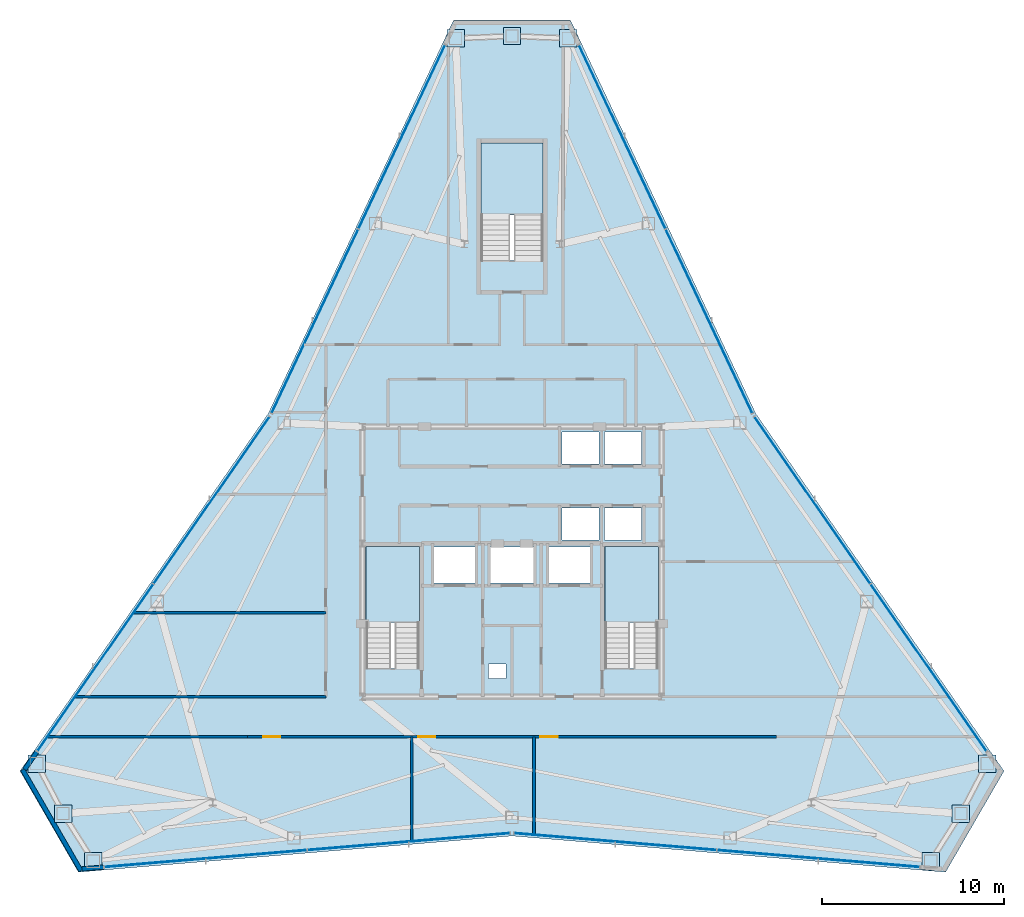
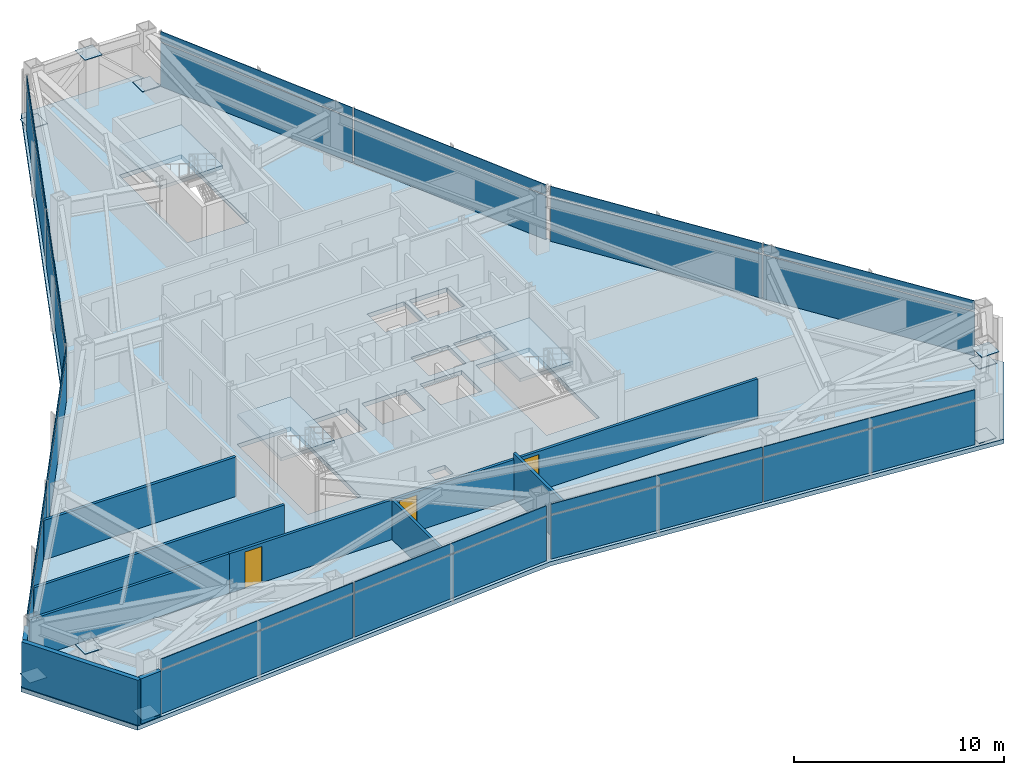
# One storey, part 8 of 12: 33 plates, 9 walls, 4 slabs, 3 doors, 3 openings, 9 elements without a shape of their own.
"""IFC4 building model written with IfcOpenShell, lengths in metres."""

from ifc_helpers import new_model, si_unit, direction, frame, frame_2d, origin, origin_2d, place, context, subcontext, project, spatial, polyline, rectangle, outline, extrude, source, transform, mapped, material, layer, layer_set, type_object, type_shapes, element, fill, aggregate, save


model = new_model("IFC4")

# Units and contexts
model_context = context("Model", 3, precision=1e-05, world=origin(), true_north=direction((0.0, 1.0)))
body_context = subcontext(model_context, "Body", "Model", "MODEL_VIEW")
ifc_project = project(units=[si_unit("LENGTHUNIT", "METRE"), si_unit("AREAUNIT", "SQUARE_METRE"), si_unit("VOLUMEUNIT", "CUBIC_METRE"), si_unit("PLANEANGLEUNIT", "RADIAN"), si_unit("MASSUNIT", "GRAM", prefix="KILO")], contexts=[model_context])

# Site, building, storey
site_placement = place(None, origin())
site = spatial("IfcSite", under=ifc_project, at=site_placement, CompositionType="ELEMENT")
building_placement = place(site_placement, origin())
building = spatial("IfcBuilding", under=site, at=building_placement, Name="Varakhsha Concourse Tower", CompositionType="ELEMENT")
storey_placement = place(building_placement, frame((0.0, 0.0, 225.89990234375)))
storey = spatial("IfcBuildingStorey", under=building, at=storey_placement, Name="L64", CompositionType="ELEMENT", Elevation=225.89990234375)

# Slab
ifc_material_1 = material(Name="Concrete fc 45 MPa", Category="concrete")
ifc_layer_1 = layer(ifc_material_1, 0.25, Name="SL-FLR-250")
ifc_layer_set_1 = layer_set([ifc_layer_1], Name="Concrete fc 45 MPa")
slab_type_1 = type_object("IfcSlabType", Name="SL-FLR-250", PredefinedType="FLOOR", material=ifc_layer_set_1)
slab_1_placement = place(storey_placement, frame((0.0, 0.0, -0.25)))
element("IfcSlab", 1, at=slab_1_placement, inside=storey, type_object=slab_type_1, Name="L64 Composite Structural Slab", PredefinedType="FLOOR", context=body_context, shape_type="SweptSolid", body=[
    extrude(outline(polyline([(43.199951171875, 53.497314453125), (36.800048828125, 53.497314453125), (26.6337890625, 31.9169921875), (13.027587890625, 12.322509765625), (16.227783203125, 6.780029296875), (40.0, 8.765869140625), (63.772216796875, 6.780029296875), (66.972412109375, 12.322509765625), (53.3662109375, 31.9169921875), (43.199951171875, 53.497314453125)]), holes=[polyline([(34.919921875, 17.93994140625), (34.919921875, 24.6298828125), (32.0, 24.6298828125), (32.0, 17.93994140625), (34.919921875, 17.93994140625)]), polyline([(48.02001953125, 17.93994140625), (48.02001953125, 24.6298828125), (45.10009765625, 24.6298828125), (45.10009765625, 17.93994140625), (48.02001953125, 17.93994140625)]), polyline([(41.699951171875, 40.300048828125), (41.699951171875, 46.75), (38.300048828125, 46.75), (38.300048828125, 40.300048828125), (41.699951171875, 40.300048828125)]), polyline([(42.739990234375, 29.159912109375), (44.780029296875, 29.159912109375), (44.780029296875, 30.89990234375), (42.739990234375, 30.89990234375), (42.739990234375, 29.159912109375)]), polyline([(45.06005859375, 29.159912109375), (47.10009765625, 29.159912109375), (47.10009765625, 30.89990234375), (45.06005859375, 30.89990234375), (45.06005859375, 29.159912109375)]), polyline([(42.739990234375, 25.0), (44.780029296875, 25.0), (44.780029296875, 26.739990234375), (42.739990234375, 26.739990234375), (42.739990234375, 25.0)]), polyline([(45.06005859375, 25.0), (47.10009765625, 25.0), (47.10009765625, 26.739990234375), (45.06005859375, 26.739990234375), (45.06005859375, 25.0)]), polyline([(35.7099609375, 22.639892578125), (37.989990234375, 22.639892578125), (37.989990234375, 24.60009765625), (35.7099609375, 24.60009765625), (35.7099609375, 22.639892578125)]), polyline([(42.010009765625, 22.639892578125), (44.2900390625, 22.639892578125), (44.2900390625, 24.60009765625), (42.010009765625, 24.60009765625), (42.010009765625, 22.639892578125)]), polyline([(38.81005859375, 22.639892578125), (41.18994140625, 22.639892578125), (41.18994140625, 24.60009765625), (38.81005859375, 24.60009765625), (38.81005859375, 22.639892578125)]), polyline([(38.719970703125, 17.39990234375), (39.679931640625, 17.39990234375), (39.679931640625, 18.199951171875), (38.719970703125, 18.199951171875), (38.719970703125, 17.39990234375)])]), origin(), (0.0, 0.0, 1.0), 0.25),
])

# Stair, slab
stair_type_1 = type_object("IfcStairType", Name="ST-DOGLEG-1360", PredefinedType="HALF_TURN_STAIR", material=ifc_material_1)
stair_1_placement = place(storey_placement, origin())
stair_1 = element("IfcStair", 2, at=stair_1_placement, inside=storey, type_object=stair_type_1, Name="L64 Protected Exit Stair ST1", PredefinedType="HALF_TURN_STAIR")
ifc_layer_2 = layer(ifc_material_1, 0.199951171875, Name="SL-LAND-200")
ifc_layer_set_2 = layer_set([ifc_layer_2], Name="Concrete fc 45 MPa")
slab_type_2 = type_object("IfcSlabType", Name="SL-LAND-200", PredefinedType="LANDING", material=ifc_layer_set_2)
slab_2_placement = place(storey_placement, frame((0.0, 0.0, 1.550048828125)))
slab_2 = element("IfcSlab", 3, at=slab_2_placement, type_object=slab_type_2, Name="ST1 landing 1", PredefinedType="LANDING", context=body_context, shape_type="SweptSolid", body=[
    extrude(outline(polyline([(34.919921875, 20.4599609375), (34.919921875, 24.6298828125), (32.0, 24.6298828125), (32.0, 20.4599609375), (34.919921875, 20.4599609375)])), origin(), (0.0, 0.0, 1.0), 0.199951171875),
])
aggregate(stair_1, [slab_2])

stair_2_placement = place(storey_placement, origin())
stair_2 = element("IfcStair", 4, at=stair_2_placement, inside=storey, type_object=stair_type_1, Name="L64 Protected Exit Stair ST2", PredefinedType="HALF_TURN_STAIR")
slab_3_placement = place(storey_placement, frame((0.0, 0.0, 1.550048828125)))
slab_3 = element("IfcSlab", 5, at=slab_3_placement, type_object=slab_type_2, Name="ST2 landing 1", PredefinedType="LANDING", context=body_context, shape_type="SweptSolid", body=[
    extrude(outline(polyline([(48.02001953125, 20.4599609375), (48.02001953125, 24.6298828125), (45.10009765625, 24.6298828125), (45.10009765625, 20.4599609375), (48.02001953125, 20.4599609375)])), origin(), (0.0, 0.0, 1.0), 0.199951171875),
])
aggregate(stair_2, [slab_3])

stair_type_2 = type_object("IfcStairType", Name="ST-DOGLEG-1600", PredefinedType="HALF_TURN_STAIR", material=ifc_material_1)
stair_3_placement = place(storey_placement, origin())
stair_3 = element("IfcStair", 6, at=stair_3_placement, inside=storey, type_object=stair_type_2, Name="L64 Protected Exit Stair ST5", PredefinedType="HALF_TURN_STAIR")
slab_4_placement = place(storey_placement, frame((0.0, 0.0, 1.550048828125)))
slab_4 = element("IfcSlab", 7, at=slab_4_placement, type_object=slab_type_2, Name="ST5 landing 1", PredefinedType="LANDING", context=body_context, shape_type="SweptSolid", body=[
    extrude(outline(polyline([(41.699951171875, 42.820068359375), (41.699951171875, 46.75), (38.300048828125, 46.75), (38.300048828125, 42.820068359375), (41.699951171875, 42.820068359375)])), origin(), (0.0, 0.0, 1.0), 0.199951171875),
])
aggregate(stair_3, [slab_4])

# Plates
ifc_material_2 = material(Name="Structural Steel ASTM A572 Grade 50", Category="steel")
ifc_layer_3 = layer(ifc_material_2, 0.030029296875, Name="PL-ENDCAP-950")
ifc_layer_set_3 = layer_set([ifc_layer_3], Name="Structural Steel ASTM A572 Grade 50")
plate_type_1 = type_object("IfcPlateType", Name="PL-ENDCAP-950", PredefinedType="USERDEFINED", material=ifc_layer_set_3)
shared_shape_1 = source(origin(), body_context, "Body", "SweptSolid", [
    extrude(rectangle(XDim=0.949951171875, YDim=0.949951171875, at=origin_2d()), origin(), (0.0, 0.0, 1.0), 0.030029296875),
])
type_shapes(plate_type_1, [shared_shape_1])
for number, where, z_axis, x_axis, name in (
    (8, (43.090087890625, 52.491455078125, 0.10498046875), (0.0, 0.0, 1.0), (1.0, 0.0, 0.0), "Hollow Section End Cap GP-NODE-L64-0655"),
    (9, (40.0, 52.617431640625, 2.93505859375), (0.0, 0.0, 1.0), (1.0, 0.0, 0.0), "Hollow Section End Cap GP-NODE-L64-0656"),
    (10, (36.909912109375, 52.491455078125, 0.10498046875), (0.0, 0.0, 1.0), (1.0, 0.0, 0.0), "Hollow Section End Cap GP-NODE-L64-0657"),
    (11, (13.953857421875, 12.73046875, 0.10498046875), (0.0, 0.0, 1.0), (1.0, 0.0, 0.0), "Hollow Section End Cap GP-NODE-L64-0658"),
    (12, (15.389892578125, 9.9912109375, 2.93505859375), (0.0, 0.0, 1.0), (1.0, 0.0, 0.0), "Hollow Section End Cap GP-NODE-L64-0659"),
    (13, (17.0439453125, 7.378173828125, 0.10498046875), (0.0, 0.0, 1.0), (1.0, 0.0, 0.0), "Hollow Section End Cap GP-NODE-L64-0660"),
    (14, (62.9560546875, 7.378173828125, 0.10498046875), (0.0, 0.0, 1.0), (1.0, 0.0, 0.0), "Hollow Section End Cap GP-NODE-L64-0661"),
    (15, (64.610107421875, 9.9912109375, 2.93505859375), (0.0, 0.0, 1.0), (1.0, 0.0, 0.0), "Hollow Section End Cap GP-NODE-L64-0662"),
    (16, (66.046142578125, 12.73046875, 0.10498046875), (0.0, 0.0, 1.0), (1.0, 0.0, 0.0), "Hollow Section End Cap GP-NODE-L64-0663"),
):
    element("IfcPlate", number, at=place(storey_placement, frame(where, z_axis=z_axis, x_axis=x_axis)), inside=storey, type_object=plate_type_1, Name=name, ObjectType="END PLATE", PredefinedType="USERDEFINED", context=body_context, shape_type="MappedRepresentation", body=[
        mapped(shared_shape_1, transform((0.0, 0.0, 0.0), scale=1.0)),
    ])

# Curtain wall, plates
ifc_material_3 = material(Name="Anodised Bronze Architectural Aluminium AA 6063-T6", Category="aluminium")
ifc_layer_4 = layer(ifc_material_3, 0.199951171875, Name="CW-SYS-05")
ifc_layer_set_4 = layer_set([ifc_layer_4], Name="Anodised Bronze Architectural Aluminium AA 6063-T6")
curtain_wall_type = type_object("IfcCurtainWallType", Name="CW-SYS-05", PredefinedType="NOTDEFINED", material=ifc_layer_set_4)
curtain_wall_1_placement = place(storey_placement, origin())
curtain_wall_1 = element("IfcCurtainWall", 17, at=curtain_wall_1_placement, inside=storey, type_object=curtain_wall_type, Name="L64 Crystal Curtain Wall F2", PredefinedType="NOTDEFINED")
ifc_material_4 = material(Name="Low-E Triple Insulating Glass IGU 44 mm", Category="glass")
ifc_layer_5 = layer(ifc_material_4, 0.0439453125, Name="CWP-IGU-44")
ifc_layer_set_5 = layer_set([ifc_layer_5], Name="Low-E Triple Insulating Glass IGU 44 mm")
plate_type_2 = type_object("IfcPlateType", Name="CWP-IGU-44", PredefinedType="CURTAIN_PANEL", material=ifc_layer_set_5)
shared_shape_2 = source(origin(), body_context, "Body", "SweptSolid", [
    extrude(rectangle(XDim=11.1083984375, YDim=0.0439453125, at=origin_2d()), origin(), (0.0, 0.0, 1.0), 2.535888671875),
])
plate_1_placement = place(storey_placement, frame((29.1943359375, 36.97705078125, 0.0322265625), z_axis=(0.0, 0.0, 1.0), x_axis=(0.426172477405, 0.904641928888, 0.0)))
plate_1 = element("IfcPlate", 18, at=plate_1_placement, type_object=plate_type_2, Name="CW-L64-F2 Panel 00-00", PredefinedType="CURTAIN_PANEL", context=body_context, shape_type="MappedRepresentation", body=[
    mapped(shared_shape_2, transform((0.0, 0.0, 0.0), scale=1.0)),
])
plate_2_placement = place(storey_placement, frame((33.957763671875, 47.0888671875, 0.0322265625), z_axis=(0.0, 0.0, 1.0), x_axis=(0.426172477405, 0.904641928888, 0.0)))
plate_2 = element("IfcPlate", 19, at=plate_2_placement, type_object=plate_type_2, Name="CW-L64-F2 Panel 01-00", PredefinedType="CURTAIN_PANEL", context=body_context, shape_type="MappedRepresentation", body=[
    mapped(shared_shape_2, transform((0.0, 0.0, 0.0), scale=1.0)),
])

curtain_wall_2_placement = place(storey_placement, origin())
curtain_wall_2 = element("IfcCurtainWall", 20, at=curtain_wall_2_placement, inside=storey, type_object=curtain_wall_type, Name="L64 Crystal Curtain Wall F9", PredefinedType="NOTDEFINED")
plate_3_placement = place(storey_placement, frame((46.042236328125, 47.0888671875, 0.0322265625), z_axis=(0.0, 0.0, 1.0), x_axis=(0.426172477405, -0.904641928888, 0.0)))
plate_3 = element("IfcPlate", 21, at=plate_3_placement, type_object=plate_type_2, Name="CW-L64-F9 Panel 00-00", PredefinedType="CURTAIN_PANEL", context=body_context, shape_type="MappedRepresentation", body=[
    mapped(shared_shape_2, transform((0.0, 0.0, 0.0), scale=1.0)),
])
plate_4_placement = place(storey_placement, frame((50.8056640625, 36.97705078125, 0.0322265625), z_axis=(0.0, 0.0, 1.0), x_axis=(0.426172477405, -0.904641928888, 0.0)))
plate_4 = element("IfcPlate", 22, at=plate_4_placement, type_object=plate_type_2, Name="CW-L64-F9 Panel 01-00", PredefinedType="CURTAIN_PANEL", context=body_context, shape_type="MappedRepresentation", body=[
    mapped(shared_shape_2, transform((0.0, 0.0, 0.0), scale=1.0)),
])

# Plate
ifc_material_5 = material(Name="Insulated Anodised Bronze Aluminium Spandrel 36 mm", Category="aluminium")
ifc_layer_6 = layer(ifc_material_5, 0.035888671875, Name="CWP-SPN-36")
ifc_layer_set_6 = layer_set([ifc_layer_6], Name="Insulated Anodised Bronze Aluminium Spandrel 36 mm")
plate_type_3 = type_object("IfcPlateType", Name="CWP-SPN-36", PredefinedType="USERDEFINED", material=ifc_layer_set_6)
shared_shape_3 = source(origin(), body_context, "Body", "SweptSolid", [
    extrude(rectangle(XDim=11.1083984375, YDim=0.035888671875, at=origin_2d()), origin(), (0.0, 0.0, 1.0), 0.5859375),
])
plate_5_placement = place(storey_placement, frame((29.1943359375, 36.97705078125, 2.632080078125), z_axis=(0.0, 0.0, 1.0), x_axis=(0.426172477405, 0.904641928888, 0.0)))
plate_5 = element("IfcPlate", 23, at=plate_5_placement, type_object=plate_type_3, Name="CW-L64-F2 Panel 00-01", ObjectType="SPANDREL", PredefinedType="USERDEFINED", context=body_context, shape_type="MappedRepresentation", body=[
    mapped(shared_shape_3, transform((0.0, 0.0, 0.0), scale=1.0)),
])

plate_6_placement = place(storey_placement, frame((33.957763671875, 47.0888671875, 2.632080078125), z_axis=(0.0, 0.0, 1.0), x_axis=(0.426172477405, 0.904641928888, 0.0)))
plate_6 = element("IfcPlate", 24, at=plate_6_placement, type_object=plate_type_3, Name="CW-L64-F2 Panel 01-01", ObjectType="SPANDREL", PredefinedType="USERDEFINED", context=body_context, shape_type="MappedRepresentation", body=[
    mapped(shared_shape_3, transform((0.0, 0.0, 0.0), scale=1.0)),
])

aggregate(curtain_wall_1, [plate_1, plate_5, plate_2, plate_6])

plate_7_placement = place(storey_placement, frame((46.042236328125, 47.0888671875, 2.632080078125), z_axis=(0.0, 0.0, 1.0), x_axis=(0.426172477405, -0.904641928888, 0.0)))
plate_7 = element("IfcPlate", 25, at=plate_7_placement, type_object=plate_type_3, Name="CW-L64-F9 Panel 00-01", ObjectType="SPANDREL", PredefinedType="USERDEFINED", context=body_context, shape_type="MappedRepresentation", body=[
    mapped(shared_shape_3, transform((0.0, 0.0, 0.0), scale=1.0)),
])

plate_8_placement = place(storey_placement, frame((50.8056640625, 36.97705078125, 2.632080078125), z_axis=(0.0, 0.0, 1.0), x_axis=(0.426172477405, -0.904641928888, 0.0)))
plate_8 = element("IfcPlate", 26, at=plate_8_placement, type_object=plate_type_3, Name="CW-L64-F9 Panel 01-01", ObjectType="SPANDREL", PredefinedType="USERDEFINED", context=body_context, shape_type="MappedRepresentation", body=[
    mapped(shared_shape_3, transform((0.0, 0.0, 0.0), scale=1.0)),
])

aggregate(curtain_wall_2, [plate_3, plate_7, plate_4, plate_8])

# Curtain wall, plates
curtain_wall_3_placement = place(storey_placement, origin())
curtain_wall_3 = element("IfcCurtainWall", 27, at=curtain_wall_3_placement, inside=storey, type_object=curtain_wall_type, Name="L64 Crystal Curtain Wall F3", PredefinedType="NOTDEFINED")
shared_shape_4 = source(origin(), body_context, "Body", "SweptSolid", [
    extrude(rectangle(XDim=11.108642578125, YDim=0.0439453125, at=origin_2d()), origin(), (0.0, 0.0, 1.0), 2.535888671875),
])
type_shapes(plate_type_2, [shared_shape_2, shared_shape_4])
plate_9_placement = place(storey_placement, frame((17.156494140625, 17.98828125, 0.0322265625), z_axis=(0.0, 0.0, 1.0), x_axis=(0.570360953861, 0.821394169879, 0.0)))
plate_9 = element("IfcPlate", 28, at=plate_9_placement, type_object=plate_type_2, Name="CW-L64-F3 Panel 00-00", PredefinedType="CURTAIN_PANEL", context=body_context, shape_type="MappedRepresentation", body=[
    mapped(shared_shape_4, transform((0.0, 0.0, 0.0), scale=1.0)),
])
plate_10_placement = place(storey_placement, frame((23.531982421875, 27.16943359375, 0.0322265625), z_axis=(0.0, 0.0, 1.0), x_axis=(0.570360953861, 0.821394169879, 0.0)))
plate_10 = element("IfcPlate", 29, at=plate_10_placement, type_object=plate_type_2, Name="CW-L64-F3 Panel 01-00", PredefinedType="CURTAIN_PANEL", context=body_context, shape_type="MappedRepresentation", body=[
    mapped(shared_shape_4, transform((0.0, 0.0, 0.0), scale=1.0)),
])

curtain_wall_4_placement = place(storey_placement, origin())
curtain_wall_4 = element("IfcCurtainWall", 30, at=curtain_wall_4_placement, inside=storey, type_object=curtain_wall_type, Name="L64 Crystal Curtain Wall F5", PredefinedType="NOTDEFINED")
plate_11_placement = place(storey_placement, frame((34.337646484375, 8.453369140625, 0.0322265625), z_axis=(0.0, 0.0, 1.0), x_axis=(-0.996528985157, -0.083246511889, 0.0)))
plate_11 = element("IfcPlate", 31, at=plate_11_placement, type_object=plate_type_2, Name="CW-L64-F5 Panel 00-00", PredefinedType="CURTAIN_PANEL", context=body_context, shape_type="MappedRepresentation", body=[
    mapped(shared_shape_4, transform((0.0, 0.0, 0.0), scale=1.0)),
])
plate_12_placement = place(storey_placement, frame((23.19873046875, 7.52294921875, 0.0322265625), z_axis=(0.0, 0.0, 1.0), x_axis=(-0.996528985157, -0.083246511889, 0.0)))
plate_12 = element("IfcPlate", 32, at=plate_12_placement, type_object=plate_type_2, Name="CW-L64-F5 Panel 01-00", PredefinedType="CURTAIN_PANEL", context=body_context, shape_type="MappedRepresentation", body=[
    mapped(shared_shape_4, transform((0.0, 0.0, 0.0), scale=1.0)),
])

curtain_wall_5_placement = place(storey_placement, origin())
curtain_wall_5 = element("IfcCurtainWall", 33, at=curtain_wall_5_placement, inside=storey, type_object=curtain_wall_type, Name="L64 Crystal Curtain Wall F6", PredefinedType="NOTDEFINED")
plate_13_placement = place(storey_placement, frame((56.80126953125, 7.52294921875, 0.0322265625), z_axis=(0.0, 0.0, 1.0), x_axis=(-0.996528985157, 0.083246511889, 0.0)))
plate_13 = element("IfcPlate", 34, at=plate_13_placement, type_object=plate_type_2, Name="CW-L64-F6 Panel 00-00", PredefinedType="CURTAIN_PANEL", context=body_context, shape_type="MappedRepresentation", body=[
    mapped(shared_shape_4, transform((0.0, 0.0, 0.0), scale=1.0)),
])
plate_14_placement = place(storey_placement, frame((45.662353515625, 8.45361328125, 0.0322265625), z_axis=(0.0, 0.0, 1.0), x_axis=(-0.996528985157, 0.083246511889, 0.0)))
plate_14 = element("IfcPlate", 35, at=plate_14_placement, type_object=plate_type_2, Name="CW-L64-F6 Panel 01-00", PredefinedType="CURTAIN_PANEL", context=body_context, shape_type="MappedRepresentation", body=[
    mapped(shared_shape_4, transform((0.0, 0.0, 0.0), scale=1.0)),
])

curtain_wall_6_placement = place(storey_placement, origin())
curtain_wall_6 = element("IfcCurtainWall", 36, at=curtain_wall_6_placement, inside=storey, type_object=curtain_wall_type, Name="L64 Crystal Curtain Wall F8", PredefinedType="NOTDEFINED")
plate_15_placement = place(storey_placement, frame((56.468017578125, 27.16943359375, 0.0322265625), z_axis=(0.0, 0.0, 1.0), x_axis=(0.570360953861, -0.821394169879, 0.0)))
plate_15 = element("IfcPlate", 37, at=plate_15_placement, type_object=plate_type_2, Name="CW-L64-F8 Panel 00-00", PredefinedType="CURTAIN_PANEL", context=body_context, shape_type="MappedRepresentation", body=[
    mapped(shared_shape_4, transform((0.0, 0.0, 0.0), scale=1.0)),
])
plate_16_placement = place(storey_placement, frame((62.843505859375, 17.98828125, 0.0322265625), z_axis=(0.0, 0.0, 1.0), x_axis=(0.570360953861, -0.821394169879, 0.0)))
plate_16 = element("IfcPlate", 38, at=plate_16_placement, type_object=plate_type_2, Name="CW-L64-F8 Panel 01-00", PredefinedType="CURTAIN_PANEL", context=body_context, shape_type="MappedRepresentation", body=[
    mapped(shared_shape_4, transform((0.0, 0.0, 0.0), scale=1.0)),
])

# Plate
shared_shape_5 = source(origin(), body_context, "Body", "SweptSolid", [
    extrude(rectangle(XDim=11.108642578125, YDim=0.035888671875, at=origin_2d()), origin(), (0.0, 0.0, 1.0), 0.5859375),
])
type_shapes(plate_type_3, [shared_shape_3, shared_shape_5])
plate_17_placement = place(storey_placement, frame((17.156494140625, 17.98828125, 2.632080078125), z_axis=(0.0, 0.0, 1.0), x_axis=(0.570360953861, 0.821394169879, 0.0)))
plate_17 = element("IfcPlate", 39, at=plate_17_placement, type_object=plate_type_3, Name="CW-L64-F3 Panel 00-01", ObjectType="SPANDREL", PredefinedType="USERDEFINED", context=body_context, shape_type="MappedRepresentation", body=[
    mapped(shared_shape_5, transform((0.0, 0.0, 0.0), scale=1.0)),
])

plate_18_placement = place(storey_placement, frame((23.531982421875, 27.16943359375, 2.632080078125), z_axis=(0.0, 0.0, 1.0), x_axis=(0.570360953861, 0.821394169879, 0.0)))
plate_18 = element("IfcPlate", 40, at=plate_18_placement, type_object=plate_type_3, Name="CW-L64-F3 Panel 01-01", ObjectType="SPANDREL", PredefinedType="USERDEFINED", context=body_context, shape_type="MappedRepresentation", body=[
    mapped(shared_shape_5, transform((0.0, 0.0, 0.0), scale=1.0)),
])

aggregate(curtain_wall_3, [plate_9, plate_17, plate_10, plate_18])

plate_19_placement = place(storey_placement, frame((34.337646484375, 8.453369140625, 2.632080078125), z_axis=(0.0, 0.0, 1.0), x_axis=(-0.996528985157, -0.083246511889, 0.0)))
plate_19 = element("IfcPlate", 41, at=plate_19_placement, type_object=plate_type_3, Name="CW-L64-F5 Panel 00-01", ObjectType="SPANDREL", PredefinedType="USERDEFINED", context=body_context, shape_type="MappedRepresentation", body=[
    mapped(shared_shape_5, transform((0.0, 0.0, 0.0), scale=1.0)),
])

plate_20_placement = place(storey_placement, frame((23.19873046875, 7.52294921875, 2.632080078125), z_axis=(0.0, 0.0, 1.0), x_axis=(-0.996528985157, -0.083246511889, 0.0)))
plate_20 = element("IfcPlate", 42, at=plate_20_placement, type_object=plate_type_3, Name="CW-L64-F5 Panel 01-01", ObjectType="SPANDREL", PredefinedType="USERDEFINED", context=body_context, shape_type="MappedRepresentation", body=[
    mapped(shared_shape_5, transform((0.0, 0.0, 0.0), scale=1.0)),
])

aggregate(curtain_wall_4, [plate_11, plate_19, plate_12, plate_20])

plate_21_placement = place(storey_placement, frame((56.80126953125, 7.52294921875, 2.632080078125), z_axis=(0.0, 0.0, 1.0), x_axis=(-0.996528985157, 0.083246511889, 0.0)))
plate_21 = element("IfcPlate", 43, at=plate_21_placement, type_object=plate_type_3, Name="CW-L64-F6 Panel 00-01", ObjectType="SPANDREL", PredefinedType="USERDEFINED", context=body_context, shape_type="MappedRepresentation", body=[
    mapped(shared_shape_5, transform((0.0, 0.0, 0.0), scale=1.0)),
])

plate_22_placement = place(storey_placement, frame((45.662353515625, 8.45361328125, 2.632080078125), z_axis=(0.0, 0.0, 1.0), x_axis=(-0.996528985157, 0.083246511889, 0.0)))
plate_22 = element("IfcPlate", 44, at=plate_22_placement, type_object=plate_type_3, Name="CW-L64-F6 Panel 01-01", ObjectType="SPANDREL", PredefinedType="USERDEFINED", context=body_context, shape_type="MappedRepresentation", body=[
    mapped(shared_shape_5, transform((0.0, 0.0, 0.0), scale=1.0)),
])

aggregate(curtain_wall_5, [plate_13, plate_21, plate_14, plate_22])

plate_23_placement = place(storey_placement, frame((56.468017578125, 27.16943359375, 2.632080078125), z_axis=(0.0, 0.0, 1.0), x_axis=(0.570360953861, -0.821394169879, 0.0)))
plate_23 = element("IfcPlate", 45, at=plate_23_placement, type_object=plate_type_3, Name="CW-L64-F8 Panel 00-01", ObjectType="SPANDREL", PredefinedType="USERDEFINED", context=body_context, shape_type="MappedRepresentation", body=[
    mapped(shared_shape_5, transform((0.0, 0.0, 0.0), scale=1.0)),
])

plate_24_placement = place(storey_placement, frame((62.843505859375, 17.98828125, 2.632080078125), z_axis=(0.0, 0.0, 1.0), x_axis=(0.570360953861, -0.821394169879, 0.0)))
plate_24 = element("IfcPlate", 46, at=plate_24_placement, type_object=plate_type_3, Name="CW-L64-F8 Panel 01-01", ObjectType="SPANDREL", PredefinedType="USERDEFINED", context=body_context, shape_type="MappedRepresentation", body=[
    mapped(shared_shape_5, transform((0.0, 0.0, 0.0), scale=1.0)),
])

aggregate(curtain_wall_6, [plate_15, plate_23, plate_16, plate_24])

# Walls
ifc_layer_7 = layer(ifc_material_1, 0.239990234375, Name="WL-EXT-CRN-240")
ifc_layer_set_7 = layer_set([ifc_layer_7], Name="Concrete fc 45 MPa")
wall_type_1 = type_object("IfcWallType", Name="WL-EXT-CRN-240", PredefinedType="SHEAR", material=ifc_layer_set_7)
wall_1_placement = place(storey_placement, frame((13.950439453125, 13.37109375, 0.0), z_axis=(0.0, 0.0, 1.0), x_axis=(-0.57028607051, -0.821446162437, 0.0)))
element("IfcWall", 47, at=wall_1_placement, inside=storey, type_object=wall_type_1, Name="L64 Wind-Corner Shoulder Wall F3", PredefinedType="SHEAR", context=body_context, shape_type="SweptSolid", body=[
    extrude(rectangle(XDim=1.16748046875, YDim=0.239990234375, at=frame_2d((0.583740234375, 0.0))), origin(), (0.0, 0.0, 1.0), 2.623046875),
])
wall_2_placement = place(storey_placement, frame((16.3662109375, 6.860107421875, 0.0), z_axis=(0.0, 0.0, 1.0), x_axis=(-0.499999833739, 0.866025499775, 0.0)))
element("IfcWall", 48, at=wall_2_placement, inside=storey, type_object=wall_type_1, Name="L64 Chamfer Wind-Corner Insulated Wall F4", PredefinedType="SHEAR", context=body_context, shape_type="SweptSolid", body=[
    extrude(rectangle(XDim=6.39990234375, YDim=0.239990234375, at=frame_2d((3.199951171875, 0.0))), origin(), (0.0, 0.0, 1.0), 2.623046875),
])
wall_3_placement = place(storey_placement, frame((16.43359375, 6.957763671875, 0.0), z_axis=(0.0, 0.0, 1.0), x_axis=(0.99652987462, 0.083235863609, 0.0)))
element("IfcWall", 49, at=wall_3_placement, inside=storey, type_object=wall_type_1, Name="L64 Wind-Corner Shoulder Wall F5", PredefinedType="SHEAR", context=body_context, shape_type="SweptSolid", body=[
    extrude(rectangle(XDim=1.16748046875, YDim=0.239990234375, at=frame_2d((0.583740234375, 0.0))), origin(), (0.0, 0.0, 1.0), 2.623046875),
])
ifc_material_6 = material(Name="Fire-Rated Type X Gypsum Partition Assembly", Category="gypsum")
ifc_layer_8 = layer(ifc_material_6, 0.14990234375, Name="WL-PART-150")
ifc_layer_set_8 = layer_set([ifc_layer_8], Name="Fire-Rated Type X Gypsum Partition Assembly")
wall_type_2 = type_object("IfcWallType", Name="WL-PART-150", PredefinedType="PARTITIONING", material=ifc_layer_set_8)
wall_4_placement = place(storey_placement, frame((14.5322265625, 14.199951171875, 0.0), z_axis=(0.0, 0.0, 1.0), x_axis=(1.0, 0.0, 0.0)))
element("IfcWall", 50, at=wall_4_placement, inside=storey, type_object=wall_type_2, Name="L64 Wall CRW-SGAL-SW-L64", PredefinedType="PARTITIONING", context=body_context, shape_type="SweptSolid", body=[
    extrude(rectangle(XDim=10.9677734375, YDim=0.14990234375, at=frame_2d((5.48388671875, 0.0))), origin(), (0.0, 0.0, 1.0), 2.2919921875),
])
wall_5_placement = place(storey_placement, frame((16.059814453125, 16.39990234375, 0.0), z_axis=(0.0, 0.0, 1.0), x_axis=(1.0, 0.0, 0.0)))
element("IfcWall", 51, at=wall_5_placement, inside=storey, type_object=wall_type_2, Name="L64 Wall CRW-SGAL-NW-L64", PredefinedType="PARTITIONING", context=body_context, shape_type="SweptSolid", body=[
    extrude(rectangle(XDim=13.740234375, YDim=0.14990234375, at=frame_2d((6.8701171875, 0.0))), origin(), (0.0, 0.0, 1.0), 2.2919921875),
])

# Wall, openings, doors
wall_6_placement = place(storey_placement, frame((25.5, 14.199951171875, 0.0), z_axis=(0.0, 0.0, 1.0), x_axis=(1.0, 0.0, 0.0)))
wall_6 = element("IfcWall", 52, at=wall_6_placement, inside=storey, type_object=wall_type_2, Name="L64 Wall CRW-S-DOOR-L64", PredefinedType="PARTITIONING", context=body_context, shape_type="SweptSolid", body=[
    extrude(rectangle(XDim=29.0, YDim=0.14990234375, at=frame_2d((14.5, 0.0))), origin(), (0.0, 0.0, 1.0), 2.2919921875),
])
opening_1_placement = place(wall_6_placement, frame((0.85009765625, 0.0, 0.0)))
opening_1 = element("IfcOpeningElement", 53, at=opening_1_placement, cuts=wall_6, Name="Opening DF-05", PredefinedType="OPENING", context=body_context, shape_type="SweptSolid", body=[
    extrude(rectangle(XDim=0.949951171875, YDim=2.10009765625, at=frame_2d((0.47509765625, 1.050048828125))), frame((0.0, 0.0849609375, 0.0), z_axis=(0.0, -1.0, 0.0), x_axis=(1.0, 0.0, 0.0)), (0.0, 0.0, 1.0), 0.169921875),
])
opening_2_placement = place(wall_6_placement, frame((9.35009765625, 0.0, 0.0)))
opening_2 = element("IfcOpeningElement", 54, at=opening_2_placement, cuts=wall_6, Name="Opening DF-05", PredefinedType="OPENING", context=body_context, shape_type="SweptSolid", body=[
    extrude(rectangle(XDim=0.949951171875, YDim=2.10009765625, at=frame_2d((0.47509765625, 1.050048828125))), frame((0.0, 0.0849609375, 0.0), z_axis=(0.0, -1.0, 0.0), x_axis=(1.0, 0.0, 0.0)), (0.0, 0.0, 1.0), 0.169921875),
])
opening_3_placement = place(wall_6_placement, frame((16.050048828125, 0.0, 0.0)))
opening_3 = element("IfcOpeningElement", 55, at=opening_3_placement, cuts=wall_6, Name="Opening DF-05", PredefinedType="OPENING", context=body_context, shape_type="SweptSolid", body=[
    extrude(rectangle(XDim=0.949951171875, YDim=2.10009765625, at=frame_2d((0.47509765625, 1.050048828125))), frame((0.0, 0.0849609375, 0.0), z_axis=(0.0, -1.0, 0.0), x_axis=(1.0, 0.0, 0.0)), (0.0, 0.0, 1.0), 0.169921875),
])
ifc_material_7 = material(Name="Hollow Galvanised Steel Fire Door Assembly", Category="steel")
door_type = type_object("IfcDoorType", Name="DR-FD60-950", OperationType="NOTDEFINED", PredefinedType="DOOR", material=ifc_material_7)
door_1_placement = place(opening_1_placement, origin())
door_1 = element("IfcDoor", 56, at=door_1_placement, inside=storey, type_object=door_type, Name="L64 Project Pitch Room L64-S1 Door", OperationType="SINGLE_SWING_LEFT", OverallHeight=2.10009765625, OverallWidth=0.949951171875, PredefinedType="DOOR", context=body_context, shape_type="SweptSolid", body=[
    extrude(rectangle(XDim=0.949951171875, YDim=2.10009765625, at=frame_2d((0.47509765625, 1.050048828125))), frame((0.0, 0.02490234375, 0.0), z_axis=(0.0, -1.0, 0.0), x_axis=(1.0, 0.0, 0.0)), (0.0, 0.0, 1.0), 0.050048828125),
])
fill(opening_1, door_1)
door_2_placement = place(opening_2_placement, origin())
door_2 = element("IfcDoor", 57, at=door_2_placement, inside=storey, type_object=door_type, Name="L64 Hot-Desk Studio Neighborhood L64-S2 Door", OperationType="SINGLE_SWING_RIGHT", OverallHeight=2.10009765625, OverallWidth=0.949951171875, PredefinedType="DOOR", context=body_context, shape_type="SweptSolid", body=[
    extrude(rectangle(XDim=0.949951171875, YDim=2.10009765625, at=frame_2d((0.47509765625, 1.050048828125))), frame((0.0, 0.02490234375, 0.0), z_axis=(0.0, -1.0, 0.0), x_axis=(1.0, 0.0, 0.0)), (0.0, 0.0, 1.0), 0.050048828125),
])
fill(opening_2, door_2)
door_3_placement = place(opening_3_placement, origin())
door_3 = element("IfcDoor", 58, at=door_3_placement, inside=storey, type_object=door_type, Name="L64 Hot-Desk Studio Neighborhood L64-S3 Door", OperationType="SINGLE_SWING_LEFT", OverallHeight=2.10009765625, OverallWidth=0.949951171875, PredefinedType="DOOR", context=body_context, shape_type="SweptSolid", body=[
    extrude(rectangle(XDim=0.949951171875, YDim=2.10009765625, at=frame_2d((0.47509765625, 1.050048828125))), frame((0.0, 0.02490234375, 0.0), z_axis=(0.0, -1.0, 0.0), x_axis=(1.0, 0.0, 0.0)), (0.0, 0.0, 1.0), 0.050048828125),
])
fill(opening_3, door_3)

# Walls
wall_7_placement = place(storey_placement, frame((34.5, 8.471923828125, 0.0), z_axis=(0.0, 0.0, 1.0), x_axis=(0.0, 1.0, 0.0)))
element("IfcWall", 59, at=wall_7_placement, inside=storey, type_object=wall_type_2, Name="L64 Wall ODIV-S1-L64", PredefinedType="PARTITIONING", context=body_context, shape_type="SweptSolid", body=[
    extrude(rectangle(XDim=5.72802734375, YDim=0.14990234375, at=frame_2d((2.864013671875, 0.0))), origin(), (0.0, 0.0, 1.0), 2.2919921875),
])
wall_8_placement = place(storey_placement, frame((41.199951171875, 8.831298828125, 0.0), z_axis=(0.0, 0.0, 1.0), x_axis=(0.0, 1.0, 0.0)))
element("IfcWall", 60, at=wall_8_placement, inside=storey, type_object=wall_type_2, Name="L64 Wall ODIV-S2-L64", PredefinedType="PARTITIONING", context=body_context, shape_type="SweptSolid", body=[
    extrude(rectangle(XDim=5.36865234375, YDim=0.14990234375, at=frame_2d((2.684326171875, 0.0))), origin(), (0.0, 0.0, 1.0), 2.628173828125),
])
wall_9_placement = place(storey_placement, frame((19.25390625, 21.0, 0.0), z_axis=(0.0, 0.0, 1.0), x_axis=(1.0, 0.0, 0.0)))
element("IfcWall", 61, at=wall_9_placement, inside=storey, type_object=wall_type_2, Name="L64 Wall ODIV-W1-L64", PredefinedType="PARTITIONING", context=body_context, shape_type="SweptSolid", body=[
    extrude(rectangle(XDim=10.546142578125, YDim=0.14990234375, at=frame_2d((5.27294921875, 0.0))), origin(), (0.0, 0.0, 1.0), 2.2919921875),
])

save(model, "model.ifc")
